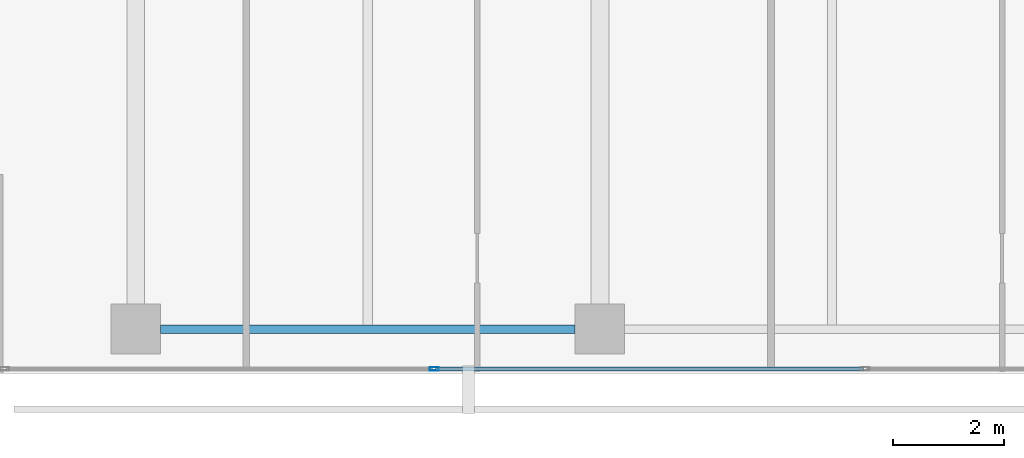
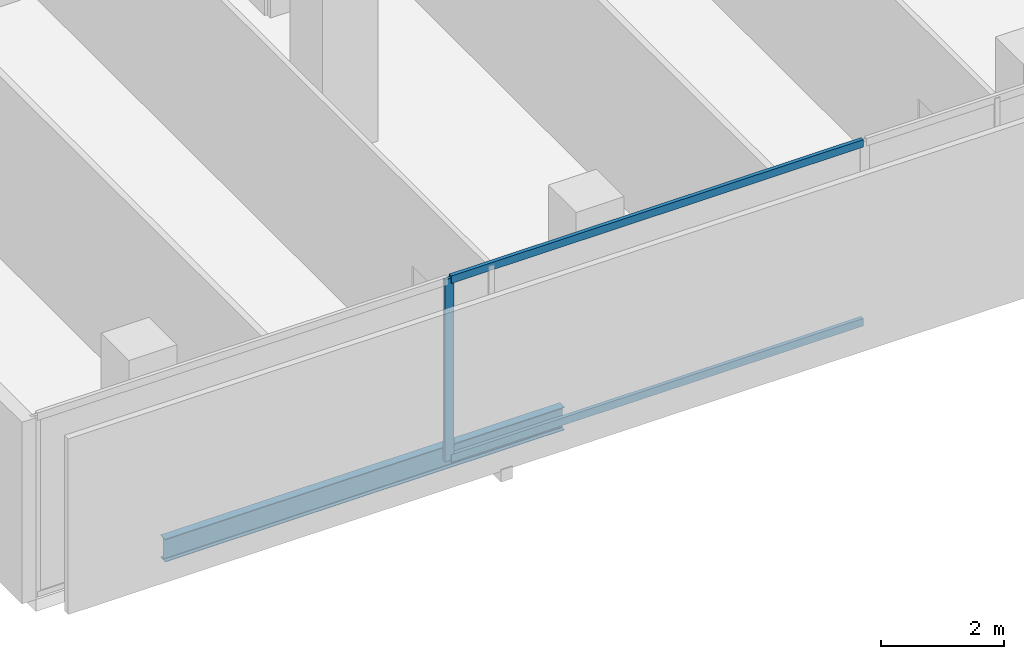
# One storey, part 3 of 40: 3 members, 1 beam, 1 element without a shape of its own.
"""IFC4 building model written with IfcOpenShell, lengths in metres."""

from ifc_helpers import new_model, si_unit, direction, frame, origin, origin_2d, place, context, subcontext, project, spatial, hollow_rectangle, i_section, extrude, material, layer, layer_set, material_profile, profile_set, type_object, element, aggregate, save


model = new_model("IFC4")

# Units and contexts
model_context = context("Model", 3, precision=1e-05, world=origin(), true_north=direction((0.0, 1.0)))
body_context = subcontext(model_context, "Body", "Model", "MODEL_VIEW")
ifc_project = project(units=[si_unit("LENGTHUNIT", "METRE"), si_unit("AREAUNIT", "SQUARE_METRE"), si_unit("VOLUMEUNIT", "CUBIC_METRE"), si_unit("PLANEANGLEUNIT", "RADIAN"), si_unit("MASSUNIT", "GRAM", prefix="KILO")], contexts=[model_context])

# Site, building, storey
site_placement = place(None, origin())
site = spatial("IfcSite", under=ifc_project, at=site_placement, CompositionType="ELEMENT")
building_placement = place(site_placement, origin())
building = spatial("IfcBuilding", under=site, at=building_placement, Name="Maruvema Waterfront Hotel and Observation Tower", CompositionType="ELEMENT")
storey_placement = place(building_placement, frame((0.0, 0.0, 103.949951171875)))
storey = spatial("IfcBuildingStorey", under=building, at=storey_placement, Name="L25", CompositionType="ELEMENT", Elevation=103.949951171875)

# Curtain wall, members
ifc_material_1 = material(Name="Anodised bronze aluminium and solar-control low-E IGU", Category="aluminium")
ifc_layer = layer(ifc_material_1, 0.159912109375, Name="Zone 1 Bronze Inner Thermal Curtain Wall System CW-02")
ifc_layer_set = layer_set([ifc_layer], Name="Anodised bronze aluminium and solar-control low-E IGU")
curtain_wall_type = type_object("IfcCurtainWallType", Name="Zone 1 Bronze Inner Thermal Curtain Wall System CW-02", PredefinedType="USERDEFINED", material=ifc_layer_set)
curtain_wall_placement = place(storey_placement, origin())
curtain_wall = element("IfcCurtainWall", 1, at=curtain_wall_placement, inside=storey, type_object=curtain_wall_type, Name="L25 Curtain Wall CW-L25-S", ObjectType="UNITISED CURTAIN WALL", PredefinedType="USERDEFINED")
ifc_material_2 = material(Name="Anodised architectural bronze aluminium", Category="aluminium")
ifc_material_profile_1 = material_profile(ifc_material_2, hollow_rectangle(XDim=0.070068359375, YDim=0.14990234375, WallThickness=0.00390625, at=origin_2d()), Name="ALU-T70x150")
ifc_profile_set_1 = profile_set([ifc_material_profile_1], Name="Anodised architectural bronze aluminium")
member_type_1 = type_object("IfcMemberType", Name="Curtain Wall Horizontal Transom ALU-T70x150", PredefinedType="USERDEFINED", material=ifc_profile_set_1)
member_1_placement = place(storey_placement, frame((22.22998046875, 0.080078125, 0.030029296875), z_axis=(1.0, 0.0, 0.0), x_axis=(0.0, 1.0, 0.0)))
member_1 = element("IfcMember", 2, at=member_1_placement, type_object=member_type_1, Name="CW-02 transom 2.1", ObjectType="TRANSOM", PredefinedType="USERDEFINED", context=body_context, shape_type="SweptSolid", body=[
    extrude(hollow_rectangle(XDim=0.070068359375, YDim=0.14990234375, WallThickness=0.00390625, at=origin_2d()), origin(), (0.0, 0.0, 1.0), 7.739990234375),
])
member_2_placement = place(storey_placement, frame((22.22998046875, 0.080078125, 3.580078125), z_axis=(1.0, 0.0, 0.0), x_axis=(0.0, 1.0, 0.0)))
member_2 = element("IfcMember", 3, at=member_2_placement, type_object=member_type_1, Name="CW-02 transom 2.2", ObjectType="TRANSOM", PredefinedType="USERDEFINED", context=body_context, shape_type="SweptSolid", body=[
    extrude(hollow_rectangle(XDim=0.070068359375, YDim=0.14990234375, WallThickness=0.00390625, at=origin_2d()), origin(), (0.0, 0.0, 1.0), 7.739990234375),
])
ifc_material_3 = material(Name="Anodised architectural bronze aluminium", Category="aluminium")
ifc_material_profile_2 = material_profile(ifc_material_3, hollow_rectangle(XDim=0.06494140625, YDim=0.1650390625, WallThickness=0.00390625, at=origin_2d()), Name="ALU-M65x165")
ifc_profile_set_2 = profile_set([ifc_material_profile_2], Name="Anodised architectural bronze aluminium")
member_type_2 = type_object("IfcMemberType", Name="Curtain Wall Primary Mullion ALU-M65x165", PredefinedType="MULLION", material=ifc_profile_set_2)
member_3_placement = place(storey_placement, frame((22.199951171875, 0.080078125, 0.0), z_axis=(0.0, 0.0, 1.0), x_axis=(0.0, 1.0, 0.0)))
member_3 = element("IfcMember", 4, at=member_3_placement, type_object=member_type_2, Name="CW-02 mullion 2", PredefinedType="MULLION", context=body_context, shape_type="SweptSolid", body=[
    extrude(hollow_rectangle(XDim=0.06494140625, YDim=0.1650390625, WallThickness=0.00390625, at=origin_2d()), origin(), (0.0, 0.0, 1.0), 3.610107421875),
])
aggregate(curtain_wall, [member_3, member_1, member_2])

# Beam
ifc_material_4 = material(Name="Steel ASTM A572 Grade 50", Category="steel")
ifc_material_profile_3 = material_profile(ifc_material_4, i_section(OverallWidth=0.153076171875, OverallDepth=0.455078125, WebThickness=0.008056640625, FlangeThickness=0.01318359375, FilletRadius=0.014892578125, at=origin_2d()), Name="W460x60.0")
ifc_profile_set_3 = profile_set([ifc_material_profile_3], Name="Steel ASTM A572 Grade 50")
beam_type = type_object("IfcBeamType", Name="Perimeter Spandrel Beam W460x60.0", PredefinedType="SPANDREL", material=ifc_profile_set_3)
beam_placement = place(storey_placement, frame((17.25, 0.800048828125, -0.467529296875), z_axis=(1.0, 0.0, 0.0), x_axis=(0.0, 1.0, 0.0)))
element("IfcBeam", 5, at=beam_placement, inside=storey, type_object=beam_type, Name="L25 Floor Girder EW-01", PredefinedType="SPANDREL", context=body_context, shape_type="SweptSolid", body=[
    extrude(i_section(OverallWidth=0.153076171875, OverallDepth=0.455078125, WebThickness=0.008056640625, FlangeThickness=0.01318359375, FilletRadius=0.014892578125, at=origin_2d()), origin(), (0.0, 0.0, 1.0), 7.5),
])

save(model, "model.ifc")
